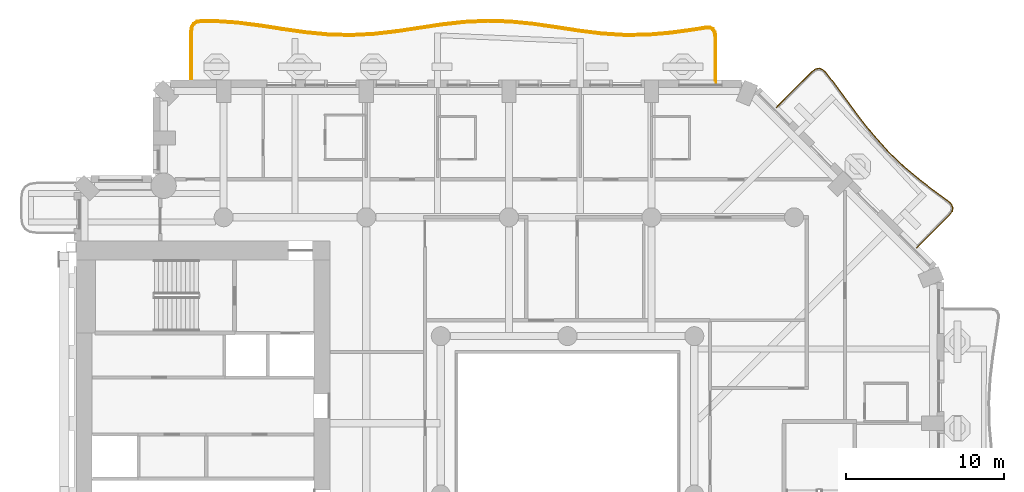
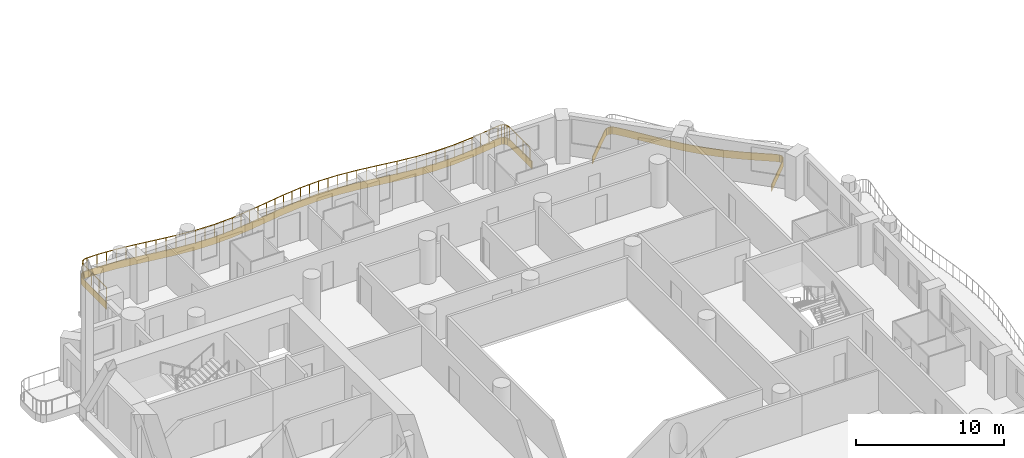
# One storey, part 22 of 24: 2 coverings, 1 railing.
"""IFC4 building model written with IfcOpenShell, lengths in metres."""

import ifcopenshell
import ifcopenshell.guid

model = None  # the IFC model being written
_history = None  # IfcOwnerHistory: only IFC2X3 demands one
_inside = {}  # id of a spatial element -> (the spatial element, [elements in it])
_under = {}  # id of a project, library or spatial element -> (it, [spatial elements below it])
_declared = {}  # id of a project -> (the project, [libraries it declares])
_typed = {}  # id of a type object -> (the type object, [elements of that type])
_made_of = {}  # id of a material, layer set ... -> (it, [elements and type objects made of it])


def new_model(schema):
    """Start an empty IFC model of exactly this schema.

    Asked for "IFC4X3", IfcOpenShell would pick the latest addendum, in which some entities
    have other attributes; the version numbers below select the first issue.
    IFC2X3 requires an IfcOwnerHistory on every rooted entity: one is made here for all.
    """
    global model, _history
    if schema == "IFC4X3":
        model = ifcopenshell.file(schema_version=(4, 3, 0, 0))
    else:
        model = ifcopenshell.file(schema=schema)
    _inside.clear()
    _under.clear()
    _declared.clear()
    _typed.clear()
    _made_of.clear()
    _history = None
    if model.schema == "IFC2X3":
        org = make("IfcOrganization", Name="unknown")
        user = make(
            "IfcPersonAndOrganization",
            ThePerson=make("IfcPerson", FamilyName="unknown"),
            TheOrganization=org,
        )
        app = make(
            "IfcApplication",
            ApplicationDeveloper=org,
            Version="unknown",
            ApplicationFullName="unknown",
            ApplicationIdentifier="unknown",
        )
        _history = make(
            "IfcOwnerHistory",
            OwningUser=user,
            OwningApplication=app,
            ChangeAction="ADDED",
            CreationDate=0,
        )
    return model


def make(cls, **values):
    """One entity of the class cls with the attributes given. An attribute that is None is left unset."""
    return model.create_entity(
        cls, **{name: value for name, value in values.items() if value is not None}
    )


def rooted(cls, **values):
    """An entity with a GlobalId (a new one), such as an element, a storey or a relation."""
    return make(cls, GlobalId=ifcopenshell.guid.new(), OwnerHistory=_history, **values)


def si_unit(unit_type, name, prefix=None):
    """IfcSIUnit, for example si_unit("LENGTHUNIT", "METRE", prefix="MILLI")."""
    return make("IfcSIUnit", UnitType=unit_type, Prefix=prefix, Name=name)


def assignment(units):
    """IfcUnitAssignment: the units of a project."""
    return None if units is None else make("IfcUnitAssignment", Units=units)


def point(xyz):
    """IfcCartesianPoint."""
    return None if xyz is None else make("IfcCartesianPoint", Coordinates=xyz)


def direction(xyz):
    """IfcDirection."""
    return None if xyz is None else make("IfcDirection", DirectionRatios=xyz)


def frame(location, z_axis=None, x_axis=None):
    """IfcAxis2Placement3D, a coordinate frame: its origin and axes. An axis left out is left unset."""
    return make(
        "IfcAxis2Placement3D",
        Location=point(location),
        Axis=direction(z_axis),
        RefDirection=direction(x_axis),
    )


def frame_2d(location, x_axis=None):
    """IfcAxis2Placement2D, a coordinate frame in the plane: its origin and x axis."""
    return make(
        "IfcAxis2Placement2D", Location=point(location), RefDirection=direction(x_axis)
    )


def origin():
    """The frame at (0, 0, 0) with its axes left unset."""
    return frame((0.0, 0.0, 0.0))


def origin_2d():
    """The frame at (0, 0) in the plane with its x axis left unset."""
    return frame_2d((0.0, 0.0))


def place(relative_to, where):
    """IfcLocalPlacement: puts the frame where relative to a parent placement (None: the world)."""
    return make(
        "IfcLocalPlacement", PlacementRelTo=relative_to, RelativePlacement=where
    )


def context(
    kind, dimensions, precision=None, world=None, true_north=None, identifier=None
):
    """IfcGeometricRepresentationContext, for example the 3D "Model" context."""
    return make(
        "IfcGeometricRepresentationContext",
        ContextIdentifier=identifier,
        ContextType=kind,
        CoordinateSpaceDimension=dimensions,
        Precision=precision,
        WorldCoordinateSystem=world,
        TrueNorth=true_north,
    )


def subcontext(parent, identifier, kind, view, scale=None):
    """IfcGeometricRepresentationSubContext, for example "Body" below "Model"."""
    return make(
        "IfcGeometricRepresentationSubContext",
        ContextIdentifier=identifier,
        ContextType=kind,
        ParentContext=parent,
        TargetScale=scale,
        TargetView=view,
    )


def project(units=None, contexts=None):
    """IfcProject with its units and contexts."""
    return rooted(
        "IfcProject",
        Name="project",
        RepresentationContexts=contexts,
        UnitsInContext=assignment(units),
    )


def spatial(cls, under=None, at=None, **own):
    """A site, building, storey or space (cls), placed at a placement, below another one or the project."""
    s = rooted(cls, ObjectPlacement=at, **own)
    if under is not None:
        _under.setdefault(under.id(), (under, []))[1].append(s)
    return s


def polyline(points):
    """IfcPolyline through the points."""
    return make("IfcPolyline", Points=[point(p) for p in points])


def profile(cls, at=None, kind="AREA", **sizes):
    """A parametric profile (cls). Its sizes go by their IFC names, for example OverallWidth=200.0."""
    return make(cls, ProfileType=kind, Position=at, **sizes)


def rectangle(**sizes):
    """IfcRectangleProfileDef."""
    return profile("IfcRectangleProfileDef", **sizes)


def outline(outer, holes=None, kind="AREA"):
    """IfcArbitraryClosedProfileDef: a profile drawn as a closed curve; with holes, ...WithVoids."""
    if holes is None:
        return make("IfcArbitraryClosedProfileDef", ProfileType=kind, OuterCurve=outer)
    return make(
        "IfcArbitraryProfileDefWithVoids",
        ProfileType=kind,
        OuterCurve=outer,
        InnerCurves=holes,
    )


def extrude(swept, where, along, depth):
    """IfcExtrudedAreaSolid: the profile swept, set in the frame where, extruded along a direction by depth."""
    return make(
        "IfcExtrudedAreaSolid",
        SweptArea=swept,
        Position=where,
        ExtrudedDirection=direction(along),
        Depth=depth,
    )


def shape(context_of_items, identifier, shape_type, items):
    """IfcShapeRepresentation: the items that make up one representation, for example the "Body"."""
    return make(
        "IfcShapeRepresentation",
        ContextOfItems=context_of_items,
        RepresentationIdentifier=identifier,
        RepresentationType=shape_type,
        Items=items,
    )


def material(Name=None, Category=None):
    """IfcMaterial."""
    return make("IfcMaterial", Name=Name, Category=Category)


def layer(
    of_material, thickness, ventilated=None, Name=None, Category=None, Priority=None
):
    """IfcMaterialLayer: one layer of a wall or slab, of a material (None: an air gap)."""
    return make(
        "IfcMaterialLayer",
        Material=of_material,
        LayerThickness=thickness,
        IsVentilated=ventilated,
        Name=Name,
        Category=Category,
        Priority=Priority,
    )


def layer_set(layers, Name=None):
    """IfcMaterialLayerSet."""
    return make("IfcMaterialLayerSet", MaterialLayers=layers, LayerSetName=Name)


def made_of(thing, what):
    """Note that an element or type object is made of a material, layer set ...; save() writes the relation."""
    if what is not None:
        _made_of.setdefault(what.id(), (what, []))[1].append(thing)
    return thing


def type_object(cls, material=None, **own):
    """A type object (cls), such as IfcWallType, which elements share."""
    return made_of(rooted(cls, **own), material)


def element(
    cls,
    number,
    at=None,
    inside=None,
    cuts=None,
    type_object=None,
    material=None,
    context=None,
    identifier="Body",
    shape_type=None,
    held_by="IfcProductDefinitionShape",
    body=None,
    shapes=None,
    **own,
):
    """One element of the class cls, such as IfcWall. Its Tag is "e" and its number.

    at: its placement. inside: the storey or other place that contains it. cuts: it is an
    opening in that element (IfcRelVoidsElement). A single representation is given by context,
    identifier, shape_type and body (its items); several are given by shapes. held_by: the class
    of the entity that holds the representations. save() writes the other relations.
    """
    e = rooted(cls, Tag="e%d" % number, ObjectPlacement=at, **own)
    if body is not None:
        shapes = [shape(context, identifier, shape_type, body)]
    if shapes is not None:
        e.Representation = make(held_by, Representations=shapes)
    if inside is not None:
        _inside.setdefault(inside.id(), (inside, []))[1].append(e)
    if cuts is not None:
        rooted(
            "IfcRelVoidsElement", RelatingBuildingElement=cuts, RelatedOpeningElement=e
        )
    if type_object is not None:
        _typed.setdefault(type_object.id(), (type_object, []))[1].append(e)
    return made_of(e, material)


def aggregate(whole, parts):
    """IfcRelAggregates: a whole, such as a stair, and the parts it consists of."""
    return rooted("IfcRelAggregates", RelatingObject=whole, RelatedObjects=parts)


def save(model, path):
    """Write the relations noted so far, then the file.

    IfcRelAggregates (storeys below a building ...), IfcRelContainedInSpatialStructure (elements
    in a storey), IfcRelDefinesByType, IfcRelAssociatesMaterial and IfcRelDeclares: one each for
    every whole, place, type object, material and project.
    """
    for whole, parts in _under.values():
        aggregate(whole, parts)
    for where, things in _inside.values():
        rooted(
            "IfcRelContainedInSpatialStructure",
            RelatedElements=things,
            RelatingStructure=where,
        )
    for kind, things in _typed.values():
        rooted("IfcRelDefinesByType", RelatedObjects=things, RelatingType=kind)
    for what, things in _made_of.values():
        rooted("IfcRelAssociatesMaterial", RelatedObjects=things, RelatingMaterial=what)
    for by, libraries in _declared.values():
        rooted("IfcRelDeclares", RelatingContext=by, RelatedDefinitions=libraries)
    model.write(path)


model = new_model("IFC4")

# Units and contexts
model_context = context("Model", 3, precision=1e-05, world=origin(), true_north=direction((0.0, 1.0)))
body_context = subcontext(model_context, "Body", "Model", "MODEL_VIEW")
ifc_project = project(units=[si_unit("LENGTHUNIT", "METRE"), si_unit("AREAUNIT", "SQUARE_METRE"), si_unit("VOLUMEUNIT", "CUBIC_METRE"), si_unit("PLANEANGLEUNIT", "RADIAN"), si_unit("MASSUNIT", "GRAM", prefix="KILO")], contexts=[model_context])

# Site, building, storey
site_placement = place(None, origin())
site = spatial("IfcSite", under=ifc_project, at=site_placement, CompositionType="ELEMENT")
building_placement = place(site_placement, origin())
building = spatial("IfcBuilding", under=site, at=building_placement, Name="Cypress Arch Tower", CompositionType="ELEMENT")
storey_placement = place(building_placement, frame((0.0, 0.0, 102.300048828125)))
storey = spatial("IfcBuildingStorey", under=building, at=storey_placement, Name="L20", CompositionType="ELEMENT", Elevation=102.300048828125)

# Coverings
ifc_material_1 = material(Name="White powder-coated aluminium fascia", Category="aluminium")
ifc_layer = layer(ifc_material_1, 0.050048828125)
ifc_layer_set = layer_set([ifc_layer], Name="Balcony fascia BF50")
covering_type = type_object("IfcCoveringType", Name="Balcony fascia BF50", PredefinedType="CLADDING", material=ifc_layer_set)
covering_1_placement = place(storey_placement, frame((0.0, 0.0, -0.60009765625)))
element("IfcCovering", 1, at=covering_1_placement, inside=storey, type_object=covering_type, Name="Balcony fascia L20-A07", PredefinedType="CLADDING", context=body_context, shape_type="SweptSolid", body=[
    extrude(outline(polyline([(16.41259765625, 26.701171875), (16.642578125, 26.873291015625), (16.87841796875, 26.9248046875), (17.106689453125, 26.845947265625), (17.315185546875, 26.64794921875), (17.79296875, 26.0419921875), (18.624755859375, 24.9130859375), (19.45654296875, 23.78662109375), (20.32275390625, 22.696533203125), (21.248779296875, 21.66796875), (22.247314453125, 20.7119140625), (23.313720703125, 19.822998046875), (24.428466796875, 18.98046875), (25.0537109375, 18.5234375), (25.25927734375, 18.322509765625), (25.343994140625, 18.098388671875), (25.294677734375, 17.864013671875), (25.12255859375, 17.6337890625), (23.045166015625, 15.556396484375), (23.009765625, 15.591796875), (25.084716796875, 17.666748046875), (25.248046875, 17.88525390625), (25.2919921875, 18.094482421875), (25.21630859375, 18.29443359375), (25.021484375, 18.485107421875), (24.398681640625, 18.940185546875), (23.28271484375, 19.78369140625), (22.2138671875, 20.674560546875), (21.212890625, 21.633056640625), (20.284423828125, 22.664306640625), (19.4169921875, 23.75634765625), (18.58447265625, 24.88330078125), (17.753173828125, 26.01171875), (17.278076171875, 26.6142578125), (17.080322265625, 26.80224609375), (16.87548828125, 26.873046875), (16.663818359375, 26.82666015625), (16.4453125, 26.663330078125), (14.191650390625, 24.40966796875), (14.15625, 24.445068359375), (16.41259765625, 26.701171875)])), origin(), (0.0, 0.0, 1.0), 0.60009765625),
])
covering_2_placement = place(storey_placement, frame((0.0, 0.0, -0.60009765625)))
element("IfcCovering", 2, at=covering_2_placement, inside=storey, type_object=covering_type, Name="Balcony fascia L20-A08", PredefinedType="CLADDING", context=body_context, shape_type="SweptSolid", body=[
    extrude(outline(polyline([(-22.800048828125, 29.236328125), (-22.757568359375, 29.533447265625), (-22.624755859375, 29.755859375), (-22.403076171875, 29.890380859375), (-22.106201171875, 29.934814453125), (-21.309326171875, 29.9404296875), (-19.866943359375, 29.841552734375), (-18.425537109375, 29.658203125), (-16.986083984375, 29.435791015625), (-15.54833984375, 29.2294921875), (-14.112060546875, 29.08984375), (-12.6767578125, 29.051513671875), (-11.240966796875, 29.12353515625), (-9.804443359375, 29.28857421875), (-8.3662109375, 29.505859375), (-6.926025390625, 29.721923828125), (-5.484375, 29.883056640625), (-4.041748046875, 29.949462890625), (-2.598876953125, 29.904541015625), (-1.156982421875, 29.759521484375), (0.283447265625, 29.55029296875), (1.72216796875, 29.328857421875), (3.158935546875, 29.149658203125), (4.5947265625, 29.05712890625), (6.0302734375, 29.07373046875), (7.46630859375, 29.1953125), (8.903564453125, 29.392333984375), (9.6982421875, 29.515869140625), (9.996337890625, 29.51904296875), (10.221923828125, 29.4169921875), (10.357421875, 29.209716796875), (10.39990234375, 28.914794921875), (10.39990234375, 26.0009765625), (10.35009765625, 26.0009765625), (10.35009765625, 28.9111328125), (10.3095703125, 29.19140625), (10.18798828125, 29.37744140625), (9.98583984375, 29.468994140625), (9.702392578125, 29.4658203125), (8.910888671875, 29.3427734375), (7.4716796875, 29.1455078125), (6.03271484375, 29.023681640625), (4.593505859375, 29.007080078125), (3.154296875, 29.099853515625), (1.71533203125, 29.279296875), (0.276123046875, 29.500732421875), (-1.1630859375, 29.709716796875), (-2.602294921875, 29.8544921875), (-4.041259765625, 29.8994140625), (-5.48046875, 29.833251953125), (-6.919677734375, 29.67236328125), (-8.358642578125, 29.45654296875), (-9.7978515625, 29.239013671875), (-11.237060546875, 29.07373046875), (-12.676025390625, 29.00146484375), (-14.115234375, 29.039794921875), (-15.554443359375, 29.1796875), (-16.993408203125, 29.386474609375), (-18.4326171875, 29.608642578125), (-19.871826171875, 29.791748046875), (-21.310791015625, 29.890625), (-22.102294921875, 29.885009765625), (-22.3857421875, 29.842529296875), (-22.588134765625, 29.719482421875), (-22.70947265625, 29.516357421875), (-22.75, 29.232666015625), (-22.75, 26.0009765625), (-22.800048828125, 26.0009765625), (-22.800048828125, 29.236328125)])), origin(), (0.0, 0.0, 1.0), 0.60009765625),
])

# Railing
ifc_material_2 = material(Name="Powder-coated steel posts and rods, 100 mm clear between rods", Category="steel")
railing_type = type_object("IfcRailingType", Name="Balcony guard GR1100", PredefinedType="GUARDRAIL", material=ifc_material_2)
railing_placement = place(storey_placement, frame((-22.699951171875, 26.14990234375, 0.0)))
element("IfcRailing", 3, at=railing_placement, inside=storey, type_object=railing_type, Name="Balcony guard L20-A08", PredefinedType="GUARDRAIL", context=body_context, shape_type="SweptSolid", body=[
    extrude(rectangle(XDim=0.050048828125, YDim=0.050048828125, at=origin_2d()), frame((0.0, 0.0, 1.0751953125), z_axis=(0.0, 1.0, 0.0), x_axis=(-1.0, 0.0, 0.0)), (0.0, 0.0, 1.0), 3.079345703125),
    extrude(rectangle(XDim=0.050048828125, YDim=0.050048828125, at=origin_2d()), frame((0.0, 3.079345703125, 1.0751953125), z_axis=(0.141421356237, 0.989949493661, 0.0), x_axis=(-0.989949493661, 0.141421356237, 0.0)), (0.0, 0.0, 1.0), 0.272705078125),
    extrude(rectangle(XDim=0.050048828125, YDim=0.050048828125, at=origin_2d()), frame((0.03857421875, 3.349365234375, 1.0751953125), z_axis=(0.512484598804, 0.858696416662, 0.0), x_axis=(-0.858696416662, 0.512484598804, 0.0)), (0.0, 0.0, 1.0), 0.21435546875),
    extrude(rectangle(XDim=0.050048828125, YDim=0.050048828125, at=origin_2d()), frame((0.1484375, 3.533447265625, 1.0751953125), z_axis=(0.854968071814, 0.518680630234, 0.0), x_axis=(-0.518680630234, 0.854968071814, 0.0)), (0.0, 0.0, 1.0), 0.214111328125),
    extrude(rectangle(XDim=0.050048828125, YDim=0.050048828125, at=origin_2d()), frame((0.33154296875, 3.64453125, 1.0751953125), z_axis=(0.988923231976, 0.148427899193, 0.0), x_axis=(-0.148427899193, 0.988923231976, 0.0)), (0.0, 0.0, 1.0), 0.27294921875),
    extrude(rectangle(XDim=0.050048828125, YDim=0.050048828125, at=origin_2d()), frame((0.6015625, 3.68505859375, 1.0751953125), z_axis=(0.999974474921, 0.007144893732, 0.0), x_axis=(-0.007144893732, 0.999974474921, 0.0)), (0.0, 0.0, 1.0), 0.785888671875),
    extrude(rectangle(XDim=0.050048828125, YDim=0.050048828125, at=origin_2d()), frame((1.387451171875, 3.690673828125, 1.0751953125), z_axis=(0.997660346701, -0.068365434402, 0.0), x_axis=(0.068365434402, 0.997660346701, 0.0)), (0.0, 0.0, 1.0), 1.439208984375),
    extrude(rectangle(XDim=0.050048828125, YDim=0.050048828125, at=origin_2d()), frame((2.8232421875, 3.59228515625, 1.0751953125), z_axis=(0.991979479968, -0.126399016306, 0.0), x_axis=(0.126399016306, 0.991979479968, 0.0)), (0.0, 0.0, 1.0), 1.44873046875),
    extrude(rectangle(XDim=0.050048828125, YDim=0.050048828125, at=origin_2d()), frame((4.26025390625, 3.4091796875, 1.0751953125), z_axis=(0.988290140398, -0.152586363719, 0.0), x_axis=(0.152586363719, 0.988290140398, 0.0)), (0.0, 0.0, 1.0), 1.4560546875),
    extrude(rectangle(XDim=0.050048828125, YDim=0.050048828125, at=origin_2d()), frame((5.69921875, 3.18701171875, 1.0751953125), z_axis=(0.989851951842, -0.14210247512, 0.0), x_axis=(0.14210247512, 0.989851951842, 0.0)), (0.0, 0.0, 1.0), 1.455078125),
    extrude(rectangle(XDim=0.050048828125, YDim=0.050048828125, at=origin_2d()), frame((7.1396484375, 2.980224609375, 1.0751953125), z_axis=(0.995310317262, -0.09673351204, 0.0), x_axis=(0.09673351204, 0.995310317262, 0.0)), (0.0, 0.0, 1.0), 1.44873046875),
    extrude(rectangle(XDim=0.050048828125, YDim=0.050048828125, at=origin_2d()), frame((8.58154296875, 2.840087890625, 1.0751953125), z_axis=(0.999642828752, -0.026724799821, 0.0), x_axis=(0.026724799821, 0.999642828752, 0.0)), (0.0, 0.0, 1.0), 1.443359375),
    extrude(rectangle(XDim=0.050048828125, YDim=0.050048828125, at=origin_2d()), frame((10.0244140625, 2.801513671875, 1.0751953125), z_axis=(0.998739238304, 0.050198942931, 0.0), x_axis=(-0.050198942931, 0.998739238304, 0.0)), (0.0, 0.0, 1.0), 1.4443359375),
    extrude(rectangle(XDim=0.050048828125, YDim=0.050048828125, at=origin_2d()), frame((11.467041015625, 2.8740234375, 1.0751953125), z_axis=(0.993472884655, 0.11406852088, 0.0), x_axis=(-0.11406852088, 0.993472884655, 0.0)), (0.0, 0.0, 1.0), 1.451171875),
    extrude(rectangle(XDim=0.050048828125, YDim=0.050048828125, at=origin_2d()), frame((12.90869140625, 3.03955078125, 1.0751953125), z_axis=(0.988780873342, 0.149373305891, 0.0), x_axis=(-0.149373305891, 0.988780873342, 0.0)), (0.0, 0.0, 1.0), 1.456298828125),
    extrude(rectangle(XDim=0.050048828125, YDim=0.050048828125, at=origin_2d()), frame((14.3486328125, 3.257080078125, 1.0751953125), z_axis=(0.988927731908, 0.148397914617, 0.0), x_axis=(-0.148397914617, 0.988927731908, 0.0)), (0.0, 0.0, 1.0), 1.454345703125),
    extrude(rectangle(XDim=0.050048828125, YDim=0.050048828125, at=origin_2d()), frame((15.786865234375, 3.472900390625, 1.0751953125), z_axis=(0.993805214489, 0.111135933231, 0.0), x_axis=(-0.111135933231, 0.993805214489, 0.0)), (0.0, 0.0, 1.0), 1.445556640625),
    extrude(rectangle(XDim=0.050048828125, YDim=0.050048828125, at=origin_2d()), frame((17.223388671875, 3.633544921875, 1.0751953125), z_axis=(0.998947416005, 0.045870034408, 0.0), x_axis=(-0.045870034408, 0.998947416005, 0.0)), (0.0, 0.0, 1.0), 1.43701171875),
    extrude(rectangle(XDim=0.050048828125, YDim=0.050048828125, at=origin_2d()), frame((18.658935546875, 3.699462890625, 1.0751953125), z_axis=(0.999516048126, -0.031107387212, 0.0), x_axis=(0.031107387212, 0.999516048126, 0.0)), (0.0, 0.0, 1.0), 1.436279296875),
    extrude(rectangle(XDim=0.050048828125, YDim=0.050048828125, at=origin_2d()), frame((20.094482421875, 3.65478515625, 1.0751953125), z_axis=(0.994975039844, -0.10012327445, 0.0), x_axis=(0.10012327445, 0.994975039844, 0.0)), (0.0, 0.0, 1.0), 1.443603515625),
    extrude(rectangle(XDim=0.050048828125, YDim=0.050048828125, at=origin_2d()), frame((21.53076171875, 3.51025390625, 1.0751953125), z_axis=(0.98962773674, -0.143655639204, 0.0), x_axis=(0.143655639204, 0.98962773674, 0.0)), (0.0, 0.0, 1.0), 1.453125),
    extrude(rectangle(XDim=0.050048828125, YDim=0.050048828125, at=origin_2d()), frame((22.96875, 3.301513671875, 1.0751953125), z_axis=(0.988348431017, -0.152208340462, 0.0), x_axis=(0.152208340462, 0.988348431017, 0.0)), (0.0, 0.0, 1.0), 1.45654296875),
    extrude(rectangle(XDim=0.050048828125, YDim=0.050048828125, at=origin_2d()), frame((24.408203125, 3.079833984375, 1.0751953125), z_axis=(0.992319194004, -0.123703747762, 0.0), x_axis=(0.123703747762, 0.992319194004, 0.0)), (0.0, 0.0, 1.0), 1.45263671875),
    extrude(rectangle(XDim=0.050048828125, YDim=0.050048828125, at=origin_2d()), frame((25.849609375, 2.900146484375, 1.0751953125), z_axis=(0.997927058974, -0.064355147168, 0.0), x_axis=(0.064355147168, 0.997927058974, 0.0)), (0.0, 0.0, 1.0), 1.4453125),
    extrude(rectangle(XDim=0.050048828125, YDim=0.050048828125, at=origin_2d()), frame((27.2919921875, 2.80712890625, 1.0751953125), z_axis=(0.999933813449, 0.011505160629, 0.0), x_axis=(-0.011505160629, 0.999933813449, 0.0)), (0.0, 0.0, 1.0), 1.44287109375),
    extrude(rectangle(XDim=0.050048828125, YDim=0.050048828125, at=origin_2d()), frame((28.73486328125, 2.82373046875, 1.0751953125), z_axis=(0.996423733448, 0.084497002447, 0.0), x_axis=(-0.084497002447, 0.996423733448, 0.0)), (0.0, 0.0, 1.0), 1.447509765625),
    extrude(rectangle(XDim=0.050048828125, YDim=0.050048828125, at=origin_2d()), frame((30.17724609375, 2.946044921875, 1.0751953125), z_axis=(0.990758523534, 0.135637561338, 0.0), x_axis=(-0.135637561338, 0.990758523534, 0.0)), (0.0, 0.0, 1.0), 1.454345703125),
    extrude(rectangle(XDim=0.050048828125, YDim=0.050048828125, at=origin_2d()), frame((31.6181640625, 3.143310546875, 1.0751953125), z_axis=(0.988129892174, 0.153620689338, 0.0), x_axis=(-0.153620689338, 0.988129892174, 0.0)), (0.0, 0.0, 1.0), 0.7978515625),
    extrude(rectangle(XDim=0.050048828125, YDim=0.050048828125, at=origin_2d()), frame((32.406494140625, 3.265869140625, 1.0751953125), z_axis=(0.999940501178, 0.010908441831, 0.0), x_axis=(-0.010908441831, 0.999940501178, 0.0)), (0.0, 0.0, 1.0), 0.2685546875),
    extrude(rectangle(XDim=0.050048828125, YDim=0.050048828125, at=origin_2d()), frame((32.675048828125, 3.268798828125, 1.0751953125), z_axis=(0.91159588286, -0.411087516658, 0.0), x_axis=(0.411087516658, 0.91159588286, 0.0)), (0.0, 0.0, 1.0), 0.196533203125),
    extrude(rectangle(XDim=0.050048828125, YDim=0.050048828125, at=origin_2d()), frame((32.854248046875, 3.18798828125, 1.0751953125), z_axis=(0.546646699619, -0.837363353507, 0.0), x_axis=(0.837363353507, 0.546646699619, 0.0)), (0.0, 0.0, 1.0), 0.196533203125),
    extrude(rectangle(XDim=0.050048828125, YDim=0.050048828125, at=origin_2d()), frame((32.961669921875, 3.0234375, 1.0751953125), z_axis=(0.142693667019, -0.989766900534, 0.0), x_axis=(0.989766900534, 0.142693667019, 0.0)), (0.0, 0.0, 1.0), 0.2685546875),
    extrude(rectangle(XDim=0.050048828125, YDim=0.050048828125, at=origin_2d()), frame((33.0, 2.757568359375, 1.0751953125), z_axis=(0.0, -1.0, 0.0), x_axis=(1.0, 0.0, 0.0)), (0.0, 0.0, 1.0), 2.757568359375),
    extrude(rectangle(XDim=0.0400390625, YDim=0.0400390625, at=origin_2d()), origin(), (0.0, 0.0, 1.0), 1.050048828125),
    extrude(rectangle(XDim=0.0400390625, YDim=0.0400390625, at=origin_2d()), frame((0.0, 1.0263671875, 0.0)), (0.0, 0.0, 1.0), 1.050048828125),
    extrude(rectangle(XDim=0.0400390625, YDim=0.0400390625, at=origin_2d()), frame((0.0, 2.052978515625, 0.0)), (0.0, 0.0, 1.0), 1.050048828125),
    extrude(rectangle(XDim=0.0400390625, YDim=0.0400390625, at=origin_2d()), frame((0.0, 3.079345703125, 0.0)), (0.0, 0.0, 1.0), 1.050048828125),
    extrude(rectangle(XDim=0.0400390625, YDim=0.0400390625, at=origin_2d()), frame((0.03857421875, 3.349365234375, 0.0)), (0.0, 0.0, 1.0), 1.050048828125),
    extrude(rectangle(XDim=0.0400390625, YDim=0.0400390625, at=origin_2d()), frame((0.1484375, 3.533447265625, 0.0)), (0.0, 0.0, 1.0), 1.050048828125),
    extrude(rectangle(XDim=0.0400390625, YDim=0.0400390625, at=origin_2d()), frame((0.33154296875, 3.64453125, 0.0)), (0.0, 0.0, 1.0), 1.050048828125),
    extrude(rectangle(XDim=0.0400390625, YDim=0.0400390625, at=origin_2d()), frame((0.6015625, 3.68505859375, 0.0)), (0.0, 0.0, 1.0), 1.050048828125),
    extrude(rectangle(XDim=0.0400390625, YDim=0.0400390625, at=origin_2d()), frame((1.387451171875, 3.690673828125, 0.0)), (0.0, 0.0, 1.0), 1.050048828125),
    extrude(rectangle(XDim=0.0400390625, YDim=0.0400390625, at=origin_2d()), frame((2.10546875, 3.6416015625, 0.0)), (0.0, 0.0, 1.0), 1.050048828125),
    extrude(rectangle(XDim=0.0400390625, YDim=0.0400390625, at=origin_2d()), frame((2.8232421875, 3.59228515625, 0.0)), (0.0, 0.0, 1.0), 1.050048828125),
    extrude(rectangle(XDim=0.0400390625, YDim=0.0400390625, at=origin_2d()), frame((3.541748046875, 3.500732421875, 0.0)), (0.0, 0.0, 1.0), 1.050048828125),
    extrude(rectangle(XDim=0.0400390625, YDim=0.0400390625, at=origin_2d()), frame((4.26025390625, 3.4091796875, 0.0)), (0.0, 0.0, 1.0), 1.050048828125),
    extrude(rectangle(XDim=0.0400390625, YDim=0.0400390625, at=origin_2d()), frame((4.979736328125, 3.298095703125, 0.0)), (0.0, 0.0, 1.0), 1.050048828125),
    extrude(rectangle(XDim=0.0400390625, YDim=0.0400390625, at=origin_2d()), frame((5.69921875, 3.18701171875, 0.0)), (0.0, 0.0, 1.0), 1.050048828125),
    extrude(rectangle(XDim=0.0400390625, YDim=0.0400390625, at=origin_2d()), frame((6.41943359375, 3.08349609375, 0.0)), (0.0, 0.0, 1.0), 1.050048828125),
    extrude(rectangle(XDim=0.0400390625, YDim=0.0400390625, at=origin_2d()), frame((7.1396484375, 2.980224609375, 0.0)), (0.0, 0.0, 1.0), 1.050048828125),
    extrude(rectangle(XDim=0.0400390625, YDim=0.0400390625, at=origin_2d()), frame((7.860595703125, 2.91015625, 0.0)), (0.0, 0.0, 1.0), 1.050048828125),
    extrude(rectangle(XDim=0.0400390625, YDim=0.0400390625, at=origin_2d()), frame((8.58154296875, 2.840087890625, 0.0)), (0.0, 0.0, 1.0), 1.050048828125),
    extrude(rectangle(XDim=0.0400390625, YDim=0.0400390625, at=origin_2d()), frame((9.302978515625, 2.82080078125, 0.0)), (0.0, 0.0, 1.0), 1.050048828125),
    extrude(rectangle(XDim=0.0400390625, YDim=0.0400390625, at=origin_2d()), frame((10.0244140625, 2.801513671875, 0.0)), (0.0, 0.0, 1.0), 1.050048828125),
    extrude(rectangle(XDim=0.0400390625, YDim=0.0400390625, at=origin_2d()), frame((10.74560546875, 2.837890625, 0.0)), (0.0, 0.0, 1.0), 1.050048828125),
    extrude(rectangle(XDim=0.0400390625, YDim=0.0400390625, at=origin_2d()), frame((11.467041015625, 2.8740234375, 0.0)), (0.0, 0.0, 1.0), 1.050048828125),
    extrude(rectangle(XDim=0.0400390625, YDim=0.0400390625, at=origin_2d()), frame((12.18798828125, 2.956787109375, 0.0)), (0.0, 0.0, 1.0), 1.050048828125),
    extrude(rectangle(XDim=0.0400390625, YDim=0.0400390625, at=origin_2d()), frame((12.90869140625, 3.03955078125, 0.0)), (0.0, 0.0, 1.0), 1.050048828125),
    extrude(rectangle(XDim=0.0400390625, YDim=0.0400390625, at=origin_2d()), frame((13.628662109375, 3.1484375, 0.0)), (0.0, 0.0, 1.0), 1.050048828125),
    extrude(rectangle(XDim=0.0400390625, YDim=0.0400390625, at=origin_2d()), frame((14.3486328125, 3.257080078125, 0.0)), (0.0, 0.0, 1.0), 1.050048828125),
    extrude(rectangle(XDim=0.0400390625, YDim=0.0400390625, at=origin_2d()), frame((15.06787109375, 3.364990234375, 0.0)), (0.0, 0.0, 1.0), 1.050048828125),
    extrude(rectangle(XDim=0.0400390625, YDim=0.0400390625, at=origin_2d()), frame((15.786865234375, 3.472900390625, 0.0)), (0.0, 0.0, 1.0), 1.050048828125),
    extrude(rectangle(XDim=0.0400390625, YDim=0.0400390625, at=origin_2d()), frame((16.505126953125, 3.55322265625, 0.0)), (0.0, 0.0, 1.0), 1.050048828125),
    extrude(rectangle(XDim=0.0400390625, YDim=0.0400390625, at=origin_2d()), frame((17.223388671875, 3.633544921875, 0.0)), (0.0, 0.0, 1.0), 1.050048828125),
    extrude(rectangle(XDim=0.0400390625, YDim=0.0400390625, at=origin_2d()), frame((17.941162109375, 3.66650390625, 0.0)), (0.0, 0.0, 1.0), 1.050048828125),
    extrude(rectangle(XDim=0.0400390625, YDim=0.0400390625, at=origin_2d()), frame((18.658935546875, 3.699462890625, 0.0)), (0.0, 0.0, 1.0), 1.050048828125),
    extrude(rectangle(XDim=0.0400390625, YDim=0.0400390625, at=origin_2d()), frame((19.376708984375, 3.67724609375, 0.0)), (0.0, 0.0, 1.0), 1.050048828125),
    extrude(rectangle(XDim=0.0400390625, YDim=0.0400390625, at=origin_2d()), frame((20.094482421875, 3.65478515625, 0.0)), (0.0, 0.0, 1.0), 1.050048828125),
    extrude(rectangle(XDim=0.0400390625, YDim=0.0400390625, at=origin_2d()), frame((20.8125, 3.58251953125, 0.0)), (0.0, 0.0, 1.0), 1.050048828125),
    extrude(rectangle(XDim=0.0400390625, YDim=0.0400390625, at=origin_2d()), frame((21.53076171875, 3.51025390625, 0.0)), (0.0, 0.0, 1.0), 1.050048828125),
    extrude(rectangle(XDim=0.0400390625, YDim=0.0400390625, at=origin_2d()), frame((22.249755859375, 3.40576171875, 0.0)), (0.0, 0.0, 1.0), 1.050048828125),
    extrude(rectangle(XDim=0.0400390625, YDim=0.0400390625, at=origin_2d()), frame((22.96875, 3.301513671875, 0.0)), (0.0, 0.0, 1.0), 1.050048828125),
    extrude(rectangle(XDim=0.0400390625, YDim=0.0400390625, at=origin_2d()), frame((23.6884765625, 3.190673828125, 0.0)), (0.0, 0.0, 1.0), 1.050048828125),
    extrude(rectangle(XDim=0.0400390625, YDim=0.0400390625, at=origin_2d()), frame((24.408203125, 3.079833984375, 0.0)), (0.0, 0.0, 1.0), 1.050048828125),
    extrude(rectangle(XDim=0.0400390625, YDim=0.0400390625, at=origin_2d()), frame((25.12890625, 2.989990234375, 0.0)), (0.0, 0.0, 1.0), 1.050048828125),
    extrude(rectangle(XDim=0.0400390625, YDim=0.0400390625, at=origin_2d()), frame((25.849609375, 2.900146484375, 0.0)), (0.0, 0.0, 1.0), 1.050048828125),
    extrude(rectangle(XDim=0.0400390625, YDim=0.0400390625, at=origin_2d()), frame((26.57080078125, 2.853515625, 0.0)), (0.0, 0.0, 1.0), 1.050048828125),
    extrude(rectangle(XDim=0.0400390625, YDim=0.0400390625, at=origin_2d()), frame((27.2919921875, 2.80712890625, 0.0)), (0.0, 0.0, 1.0), 1.050048828125),
    extrude(rectangle(XDim=0.0400390625, YDim=0.0400390625, at=origin_2d()), frame((28.013427734375, 2.8154296875, 0.0)), (0.0, 0.0, 1.0), 1.050048828125),
    extrude(rectangle(XDim=0.0400390625, YDim=0.0400390625, at=origin_2d()), frame((28.73486328125, 2.82373046875, 0.0)), (0.0, 0.0, 1.0), 1.050048828125),
    extrude(rectangle(XDim=0.0400390625, YDim=0.0400390625, at=origin_2d()), frame((29.4560546875, 2.884765625, 0.0)), (0.0, 0.0, 1.0), 1.050048828125),
    extrude(rectangle(XDim=0.0400390625, YDim=0.0400390625, at=origin_2d()), frame((30.17724609375, 2.946044921875, 0.0)), (0.0, 0.0, 1.0), 1.050048828125),
    extrude(rectangle(XDim=0.0400390625, YDim=0.0400390625, at=origin_2d()), frame((30.897705078125, 3.044677734375, 0.0)), (0.0, 0.0, 1.0), 1.050048828125),
    extrude(rectangle(XDim=0.0400390625, YDim=0.0400390625, at=origin_2d()), frame((31.6181640625, 3.143310546875, 0.0)), (0.0, 0.0, 1.0), 1.050048828125),
    extrude(rectangle(XDim=0.0400390625, YDim=0.0400390625, at=origin_2d()), frame((32.406494140625, 3.265869140625, 0.0)), (0.0, 0.0, 1.0), 1.050048828125),
    extrude(rectangle(XDim=0.0400390625, YDim=0.0400390625, at=origin_2d()), frame((32.675048828125, 3.268798828125, 0.0)), (0.0, 0.0, 1.0), 1.050048828125),
    extrude(rectangle(XDim=0.0400390625, YDim=0.0400390625, at=origin_2d()), frame((32.854248046875, 3.18798828125, 0.0)), (0.0, 0.0, 1.0), 1.050048828125),
    extrude(rectangle(XDim=0.0400390625, YDim=0.0400390625, at=origin_2d()), frame((32.961669921875, 3.0234375, 0.0)), (0.0, 0.0, 1.0), 1.050048828125),
    extrude(rectangle(XDim=0.0400390625, YDim=0.0400390625, at=origin_2d()), frame((33.0, 2.757568359375, 0.0)), (0.0, 0.0, 1.0), 1.050048828125),
    extrude(rectangle(XDim=0.0400390625, YDim=0.0400390625, at=origin_2d()), frame((33.0, 1.83837890625, 0.0)), (0.0, 0.0, 1.0), 1.050048828125),
    extrude(rectangle(XDim=0.0400390625, YDim=0.0400390625, at=origin_2d()), frame((33.0, 0.919189453125, 0.0)), (0.0, 0.0, 1.0), 1.050048828125),
    extrude(rectangle(XDim=0.0400390625, YDim=0.0400390625, at=origin_2d()), frame((33.0, 0.0, 0.0)), (0.0, 0.0, 1.0), 1.050048828125),
])

save(model, "model.ifc")
